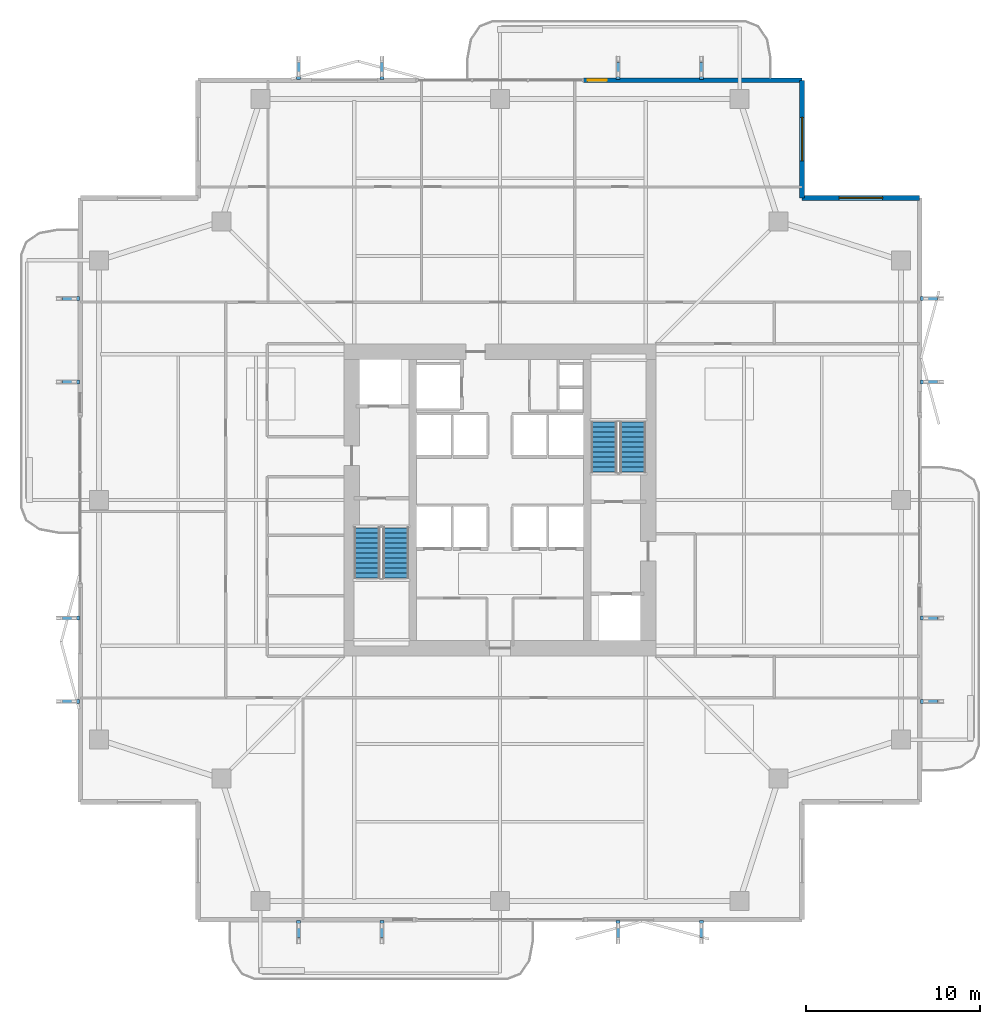
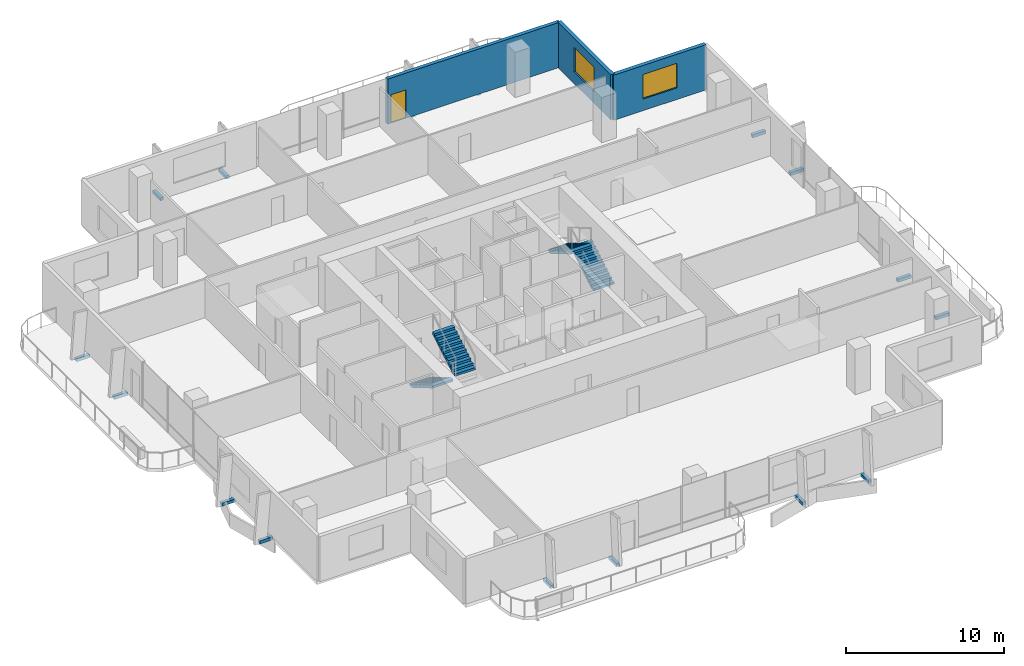
# One storey, part 22 of 25: 16 discrete accessories, 4 stair flights, 3 walls, 2 windows, 1 door, 3 openings, 2 elements without a shape of their own.
"""IFC4 building model written with IfcOpenShell, lengths in metres."""

from ifc_helpers import new_model, si_unit, direction, frame, frame_2d, origin, origin_2d, place, context, subcontext, project, spatial, polyline, rectangle, outline, extrude, material, layer, layer_set, type_object, element, fill, aggregate, save


model = new_model("IFC4")

# Units and contexts
model_context = context("Model", 3, precision=1e-05, world=origin(), true_north=direction((0.0, 1.0)))
body_context = subcontext(model_context, "Body", "Model", "MODEL_VIEW")
ifc_project = project(units=[si_unit("LENGTHUNIT", "METRE"), si_unit("AREAUNIT", "SQUARE_METRE"), si_unit("VOLUMEUNIT", "CUBIC_METRE"), si_unit("PLANEANGLEUNIT", "RADIAN"), si_unit("MASSUNIT", "GRAM", prefix="KILO")], contexts=[model_context])

# Site, building, storey
site_placement = place(None, origin())
site = spatial("IfcSite", under=ifc_project, at=site_placement, CompositionType="ELEMENT")
building_placement = place(site_placement, origin())
building = spatial("IfcBuilding", under=site, at=building_placement, Name="Belovzor Exchange Tower", CompositionType="ELEMENT")
storey_placement = place(building_placement, frame((0.0, 0.0, 183.300048828125)))
storey = spatial("IfcBuildingStorey", under=building, at=storey_placement, Name="L45", CompositionType="ELEMENT", Elevation=183.300048828125)

# Wall, opening, window
ifc_material_1 = material(Name="Precast concrete C40/50", Category="concrete")
ifc_layer_1 = layer(ifc_material_1, 0.280029296875)
ifc_layer_set_1 = layer_set([ifc_layer_1], Name="Precast concrete C40/50")
wall_type_1 = type_object("IfcWallType", Name="Precast Concrete Notched Corner Frame Wall 280", PredefinedType="SOLIDWALL", material=ifc_layer_set_1)
wall_1_placement = place(storey_placement, frame((46.199951171875, 52.969970703125, 0.0), z_axis=(0.0, 0.0, 1.0), x_axis=(0.0, -1.0, 0.0)))
wall_1 = element("IfcWall", 1, at=wall_1_placement, inside=storey, type_object=wall_type_1, Name="W-CRN280 Precast Concrete Notched Corner Frame Wall 280 L45", PredefinedType="SOLIDWALL", context=body_context, shape_type="SweptSolid", body=[
    extrude(rectangle(XDim=6.77001953125, YDim=0.280029296875, at=frame_2d((3.385009765625, 0.0))), origin(), (0.0, 0.0, 1.0), 3.494873046875),
])
opening_1_placement = place(wall_1_placement, frame((2.135009765625, 0.0, 0.89990234375)))
opening_1 = element("IfcOpeningElement", 2, at=opening_1_placement, cuts=wall_1, Name="Opening WN-CRN250", PredefinedType="OPENING", context=body_context, shape_type="SweptSolid", body=[
    extrude(rectangle(XDim=2.5, YDim=1.89990234375, at=frame_2d((1.25, 0.949951171875))), frame((0.0, 0.14990234375, 0.0), z_axis=(0.0, -1.0, 0.0), x_axis=(1.0, 0.0, 0.0)), (0.0, 0.0, 1.0), 0.300048828125),
])
ifc_material_2 = material(Name="Thermally Broken Aluminium and Triple Glazing", Category="aluminium")
window_type = type_object("IfcWindowType", Name="Streamline Moderne Corner Wrap Ribbon Window 2500x1900", PartitioningType="SINGLE_PANEL", PredefinedType="WINDOW", material=ifc_material_2)
window_1_placement = place(opening_1_placement, origin())
window_1 = element("IfcWindow", 3, at=window_1_placement, inside=storey, type_object=window_type, Name="WN-CRN250 Streamline Moderne Corner Wrap Ribbon Window 2500x1900", OverallHeight=1.89990234375, OverallWidth=2.5, PartitioningType="SINGLE_PANEL", PredefinedType="WINDOW", context=body_context, shape_type="SweptSolid", body=[
    extrude(rectangle(XDim=2.5, YDim=1.89990234375, at=frame_2d((1.25, 0.949951171875))), frame((0.0, 0.030029296875, 0.0), z_axis=(0.0, -1.0, 0.0), x_axis=(1.0, 0.0, 0.0)), (0.0, 0.0, 1.0), 0.06005859375),
])
fill(opening_1, window_1)

wall_2_placement = place(storey_placement, frame((46.199951171875, 46.199951171875, 0.0), z_axis=(0.0, 0.0, 1.0), x_axis=(1.0, 0.0, 0.0)))
wall_2 = element("IfcWall", 4, at=wall_2_placement, inside=storey, type_object=wall_type_1, Name="W-CRN280 Precast Concrete Notched Corner Frame Wall 280 L45", PredefinedType="SOLIDWALL", context=body_context, shape_type="SweptSolid", body=[
    extrude(rectangle(XDim=6.77001953125, YDim=0.280029296875, at=frame_2d((3.385009765625, 0.0))), origin(), (0.0, 0.0, 1.0), 3.494873046875),
])
opening_2_placement = place(wall_2_placement, frame((2.135009765625, 0.0, 0.89990234375)))
opening_2 = element("IfcOpeningElement", 5, at=opening_2_placement, cuts=wall_2, Name="Opening WN-CRN250", PredefinedType="OPENING", context=body_context, shape_type="SweptSolid", body=[
    extrude(rectangle(XDim=2.5, YDim=1.89990234375, at=frame_2d((1.25, 0.949951171875))), frame((0.0, 0.14990234375, 0.0), z_axis=(0.0, -1.0, 0.0), x_axis=(1.0, 0.0, 0.0)), (0.0, 0.0, 1.0), 0.300048828125),
])
window_2_placement = place(opening_2_placement, origin())
window_2 = element("IfcWindow", 6, at=window_2_placement, inside=storey, type_object=window_type, Name="WN-CRN250 Streamline Moderne Corner Wrap Ribbon Window 2500x1900", OverallHeight=1.89990234375, OverallWidth=2.5, PartitioningType="SINGLE_PANEL", PredefinedType="WINDOW", context=body_context, shape_type="SweptSolid", body=[
    extrude(rectangle(XDim=2.5, YDim=1.89990234375, at=frame_2d((1.25, 0.949951171875))), frame((0.0, 0.030029296875, 0.0), z_axis=(0.0, -1.0, 0.0), x_axis=(1.0, 0.0, 0.0)), (0.0, 0.0, 1.0), 0.06005859375),
])
fill(opening_2, window_2)

# Wall, opening, door
ifc_material_3 = material(Name="Precast concrete C40/50", Category="concrete")
ifc_layer_2 = layer(ifc_material_3, 0.260009765625)
ifc_layer_set_2 = layer_set([ifc_layer_2], Name="Precast concrete C40/50")
wall_type_2 = type_object("IfcWallType", Name="Precast Concrete Perimeter Loggia Frame Wall 260", PredefinedType="SOLIDWALL", material=ifc_layer_set_2)
wall_3_placement = place(storey_placement, frame((33.60009765625, 52.969970703125, 0.0), z_axis=(0.0, 0.0, 1.0), x_axis=(1.0, 0.0, 0.0)))
wall_3 = element("IfcWall", 7, at=wall_3_placement, inside=storey, type_object=wall_type_2, Name="W-EXT260 Precast Concrete Perimeter Loggia Frame Wall 260 L45", PredefinedType="SOLIDWALL", context=body_context, shape_type="SweptSolid", body=[
    extrude(rectangle(XDim=12.599853515625, YDim=0.260009765625, at=frame_2d((6.2998046875, 0.0))), origin(), (0.0, 0.0, 1.0), 3.494873046875),
])
opening_3_placement = place(wall_3_placement, frame((0.25, 0.0, 0.0)))
opening_3 = element("IfcOpeningElement", 8, at=opening_3_placement, cuts=wall_3, Name="Opening D-BAL110", PredefinedType="OPENING", context=body_context, shape_type="SweptSolid", body=[
    extrude(rectangle(XDim=1.10009765625, YDim=2.199951171875, at=frame_2d((0.550048828125, 1.10009765625))), frame((0.0, 0.139892578125, 0.0), z_axis=(0.0, -1.0, 0.0), x_axis=(1.0, 0.0, 0.0)), (0.0, 0.0, 1.0), 0.280029296875),
])
ifc_material_4 = material(Name="Thermally Broken Anodised Aluminium and Laminated Glass", Category="aluminium")
door_type = type_object("IfcDoorType", Name="Planted Loggia Terrace Glazed Door 1100x2200", OperationType="SINGLE_SWING_LEFT", PredefinedType="DOOR", material=ifc_material_4)
door_placement = place(opening_3_placement, origin())
door = element("IfcDoor", 9, at=door_placement, inside=storey, type_object=door_type, Name="D-BAL110 Balcony Terrace Door L45 N", OperationType="SINGLE_SWING_RIGHT", OverallHeight=2.199951171875, OverallWidth=1.10009765625, PredefinedType="DOOR", context=body_context, shape_type="SweptSolid", body=[
    extrude(rectangle(XDim=1.10009765625, YDim=2.199951171875, at=frame_2d((0.550048828125, 1.10009765625))), frame((0.0, 0.02490234375, 0.0), z_axis=(0.0, -1.0, 0.0), x_axis=(1.0, 0.0, 0.0)), (0.0, 0.0, 1.0), 0.050048828125),
])
fill(opening_3, door)

# Stair, stair flights
ifc_material_5 = material(Name="Concrete C40/50", Category="concrete")
stair_type = type_object("IfcStairType", Name="Reinforced Concrete Dogleg Escape Stair 1350", PredefinedType="HALF_TURN_STAIR", material=ifc_material_5)
stair_1_placement = place(storey_placement, origin())
stair_1 = element("IfcStair", 10, at=stair_1_placement, inside=storey, type_object=stair_type, Name="L45 ST-1", PredefinedType="HALF_TURN_STAIR")
ifc_material_6 = material(Name="Concrete C40/50", Category="concrete")
stair_flight_type = type_object("IfcStairFlightType", Name="Reinforced Concrete Stair Flight 1350", PredefinedType="STRAIGHT", material=ifc_material_6)
stair_flight_1_placement = place(storey_placement, frame((21.14990234375, 27.199951171875, 0.0), z_axis=(0.0, 0.0, 1.0), x_axis=(0.0, -1.0, 0.0)))
stair_flight_1 = element("IfcStairFlight", 11, at=stair_flight_1_placement, type_object=stair_flight_type, Name="ST-1 flight 1", NumberOfRisers=11, NumberOfTreads=10, PredefinedType="STRAIGHT", RiserHeight=0.170454545, TreadLength=0.29, context=body_context, shape_type="SweptSolid", body=[
    extrude(outline(polyline([(0.0, 0.0), (0.0, 0.17041015625), (0.2900390625, 0.17041015625), (0.2900390625, 0.3408203125), (0.580078125, 0.3408203125), (0.580078125, 0.511474609375), (0.8701171875, 0.511474609375), (0.8701171875, 0.681884765625), (1.159912109375, 0.681884765625), (1.159912109375, 0.852294921875), (1.449951171875, 0.852294921875), (1.449951171875, 1.022705078125), (1.739990234375, 1.022705078125), (1.739990234375, 1.193115234375), (2.030029296875, 1.193115234375), (2.030029296875, 1.363525390625), (2.320068359375, 1.363525390625), (2.320068359375, 1.5341796875), (2.610107421875, 1.5341796875), (2.610107421875, 1.70458984375), (2.89990234375, 1.70458984375), (2.89990234375, 1.875), (2.89990234375, 1.53076171875), (0.2958984375, 0.0), (0.0, 0.0)])), frame((0.0, 0.75, 0.0), z_axis=(0.0, -1.0, 0.0), x_axis=(1.0, 0.0, 0.0)), (0.0, 0.0, 1.0), 1.5),
])
stair_flight_2_placement = place(storey_placement, frame((22.800048828125, 24.300048828125, 1.875), z_axis=(0.0, 0.0, 1.0), x_axis=(0.0, 1.0, 0.0)))
stair_flight_2 = element("IfcStairFlight", 12, at=stair_flight_2_placement, type_object=stair_flight_type, Name="ST-1 flight 2", NumberOfRisers=11, NumberOfTreads=10, PredefinedType="STRAIGHT", RiserHeight=0.170454545, TreadLength=0.29, context=body_context, shape_type="SweptSolid", body=[
    extrude(outline(polyline([(0.0, 0.0), (0.0, 0.17041015625), (0.2900390625, 0.17041015625), (0.2900390625, 0.3408203125), (0.580078125, 0.3408203125), (0.580078125, 0.511474609375), (0.8701171875, 0.511474609375), (0.8701171875, 0.681884765625), (1.159912109375, 0.681884765625), (1.159912109375, 0.852294921875), (1.449951171875, 0.852294921875), (1.449951171875, 1.022705078125), (1.739990234375, 1.022705078125), (1.739990234375, 1.193115234375), (2.030029296875, 1.193115234375), (2.030029296875, 1.363525390625), (2.320068359375, 1.363525390625), (2.320068359375, 1.5341796875), (2.610107421875, 1.5341796875), (2.610107421875, 1.70458984375), (2.89990234375, 1.70458984375), (2.89990234375, 1.875), (2.89990234375, 1.53076171875), (0.2958984375, 0.0), (0.0, 0.0)])), frame((0.0, 0.75, 0.0), z_axis=(0.0, -1.0, 0.0), x_axis=(1.0, 0.0, 0.0)), (0.0, 0.0, 1.0), 1.5),
])
aggregate(stair_1, [stair_flight_1, stair_flight_2])

stair_2_placement = place(storey_placement, origin())
stair_2 = element("IfcStair", 13, at=stair_2_placement, inside=storey, type_object=stair_type, Name="L45 ST-2", PredefinedType="HALF_TURN_STAIR")
stair_flight_3_placement = place(storey_placement, frame((36.449951171875, 30.39990234375, 0.0), z_axis=(0.0, 0.0, 1.0), x_axis=(0.0, 1.0, 0.0)))
stair_flight_3 = element("IfcStairFlight", 14, at=stair_flight_3_placement, type_object=stair_flight_type, Name="ST-2 flight 1", NumberOfRisers=11, NumberOfTreads=10, PredefinedType="STRAIGHT", RiserHeight=0.170454545, TreadLength=0.29, context=body_context, shape_type="SweptSolid", body=[
    extrude(outline(polyline([(0.0, 0.0), (0.0, 0.17041015625), (0.2900390625, 0.17041015625), (0.2900390625, 0.3408203125), (0.580078125, 0.3408203125), (0.580078125, 0.511474609375), (0.8701171875, 0.511474609375), (0.8701171875, 0.681884765625), (1.159912109375, 0.681884765625), (1.159912109375, 0.852294921875), (1.449951171875, 0.852294921875), (1.449951171875, 1.022705078125), (1.739990234375, 1.022705078125), (1.739990234375, 1.193115234375), (2.030029296875, 1.193115234375), (2.030029296875, 1.363525390625), (2.320068359375, 1.363525390625), (2.320068359375, 1.5341796875), (2.610107421875, 1.5341796875), (2.610107421875, 1.70458984375), (2.89990234375, 1.70458984375), (2.89990234375, 1.875), (2.89990234375, 1.53076171875), (0.2958984375, 0.0), (0.0, 0.0)])), frame((0.0, 0.75, 0.0), z_axis=(0.0, -1.0, 0.0), x_axis=(1.0, 0.0, 0.0)), (0.0, 0.0, 1.0), 1.5),
])
stair_flight_4_placement = place(storey_placement, frame((34.800048828125, 33.300048828125, 1.875), z_axis=(0.0, 0.0, 1.0), x_axis=(0.0, -1.0, 0.0)))
stair_flight_4 = element("IfcStairFlight", 15, at=stair_flight_4_placement, type_object=stair_flight_type, Name="ST-2 flight 2", NumberOfRisers=11, NumberOfTreads=10, PredefinedType="STRAIGHT", RiserHeight=0.170454545, TreadLength=0.29, context=body_context, shape_type="SweptSolid", body=[
    extrude(outline(polyline([(0.0, 0.0), (0.0, 0.17041015625), (0.2900390625, 0.17041015625), (0.2900390625, 0.3408203125), (0.580078125, 0.3408203125), (0.580078125, 0.511474609375), (0.8701171875, 0.511474609375), (0.8701171875, 0.681884765625), (1.159912109375, 0.681884765625), (1.159912109375, 0.852294921875), (1.449951171875, 0.852294921875), (1.449951171875, 1.022705078125), (1.739990234375, 1.022705078125), (1.739990234375, 1.193115234375), (2.030029296875, 1.193115234375), (2.030029296875, 1.363525390625), (2.320068359375, 1.363525390625), (2.320068359375, 1.5341796875), (2.610107421875, 1.5341796875), (2.610107421875, 1.70458984375), (2.89990234375, 1.70458984375), (2.89990234375, 1.875), (2.89990234375, 1.53076171875), (0.2958984375, 0.0), (0.0, 0.0)])), frame((0.0, 0.75, 0.0), z_axis=(0.0, -1.0, 0.0), x_axis=(1.0, 0.0, 0.0)), (0.0, 0.0, 1.0), 1.5),
])
aggregate(stair_2, [stair_flight_3, stair_flight_4])

# Discrete accessories
ifc_material_7 = material(Name="Stainless Steel Grade 316", Category="steel")
ifc_layer_3 = layer(ifc_material_7, 0.179931640625)
ifc_layer_set_3 = layer_set([ifc_layer_3], Name="Stainless Steel Grade 316")
discrete_accessory_type = type_object("IfcDiscreteAccessoryType", Name="Stainless Steel Facade Outrigger Fixing Bracket", PredefinedType="BRACKET", material=ifc_layer_set_3)
for number, where, z_axis, x_axis, name in (
    (16, (17.199951171875, 4.094970703125, -0.2470703125), (0.0, 0.0, 1.0), (0.0, 1.0, 0.0), "BRK-FIN1 Sweeping Fin Outrigger Bracket L45 S1"),
    (17, (17.199951171875, 53.5048828125, -0.2470703125), (0.0, 0.0, 1.0), (0.0, 1.0, 0.0), "BRK-FIN1 Sweeping Fin Outrigger Bracket L45 N1"),
    (18, (4.094970703125, 17.199951171875, -0.2470703125), (0.0, 0.0, 1.0), (1.0, 0.0, 0.0), "BRK-FIN1 Sweeping Fin Outrigger Bracket L45 W1"),
    (19, (53.5048828125, 17.199951171875, -0.2470703125), (0.0, 0.0, 1.0), (1.0, 0.0, 0.0), "BRK-FIN1 Sweeping Fin Outrigger Bracket L45 E1"),
    (20, (22.0, 4.094970703125, -0.2470703125), (0.0, 0.0, 1.0), (0.0, 1.0, 0.0), "BRK-FIN1 Sweeping Fin Outrigger Bracket L45 S2"),
    (21, (22.0, 53.5048828125, -0.2470703125), (0.0, 0.0, 1.0), (0.0, 1.0, 0.0), "BRK-FIN1 Sweeping Fin Outrigger Bracket L45 N2"),
    (22, (4.094970703125, 22.0, -0.2470703125), (0.0, 0.0, 1.0), (1.0, 0.0, 0.0), "BRK-FIN1 Sweeping Fin Outrigger Bracket L45 W2"),
    (23, (53.5048828125, 22.0, -0.2470703125), (0.0, 0.0, 1.0), (1.0, 0.0, 0.0), "BRK-FIN1 Sweeping Fin Outrigger Bracket L45 E2"),
    (24, (35.60009765625, 4.094970703125, -0.2470703125), (0.0, 0.0, 1.0), (0.0, 1.0, 0.0), "BRK-FIN1 Sweeping Fin Outrigger Bracket L45 S3"),
    (25, (35.60009765625, 53.5048828125, -0.2470703125), (0.0, 0.0, 1.0), (0.0, 1.0, 0.0), "BRK-FIN1 Sweeping Fin Outrigger Bracket L45 N3"),
    (26, (4.094970703125, 35.60009765625, -0.2470703125), (0.0, 0.0, 1.0), (1.0, 0.0, 0.0), "BRK-FIN1 Sweeping Fin Outrigger Bracket L45 W3"),
    (27, (53.5048828125, 35.60009765625, -0.2470703125), (0.0, 0.0, 1.0), (1.0, 0.0, 0.0), "BRK-FIN1 Sweeping Fin Outrigger Bracket L45 E3"),
    (28, (40.39990234375, 4.094970703125, -0.2470703125), (0.0, 0.0, 1.0), (0.0, 1.0, 0.0), "BRK-FIN1 Sweeping Fin Outrigger Bracket L45 S4"),
    (29, (40.39990234375, 53.5048828125, -0.2470703125), (0.0, 0.0, 1.0), (0.0, 1.0, 0.0), "BRK-FIN1 Sweeping Fin Outrigger Bracket L45 N4"),
    (30, (4.094970703125, 40.39990234375, -0.2470703125), (0.0, 0.0, 1.0), (1.0, 0.0, 0.0), "BRK-FIN1 Sweeping Fin Outrigger Bracket L45 W4"),
    (31, (53.5048828125, 40.39990234375, -0.2470703125), (0.0, 0.0, 1.0), (1.0, 0.0, 0.0), "BRK-FIN1 Sweeping Fin Outrigger Bracket L45 E4"),
):
    element("IfcDiscreteAccessory", number, at=place(storey_placement, frame(where, z_axis=z_axis, x_axis=x_axis)), inside=storey, type_object=discrete_accessory_type, Name=name, PredefinedType="BRACKET", context=body_context, shape_type="SweptSolid", body=[
        extrude(rectangle(XDim=0.970947265625, YDim=0.239990234375, at=origin_2d()), origin(), (0.0, 0.0, 1.0), 0.239990234375),
    ])

save(model, "model.ifc")
